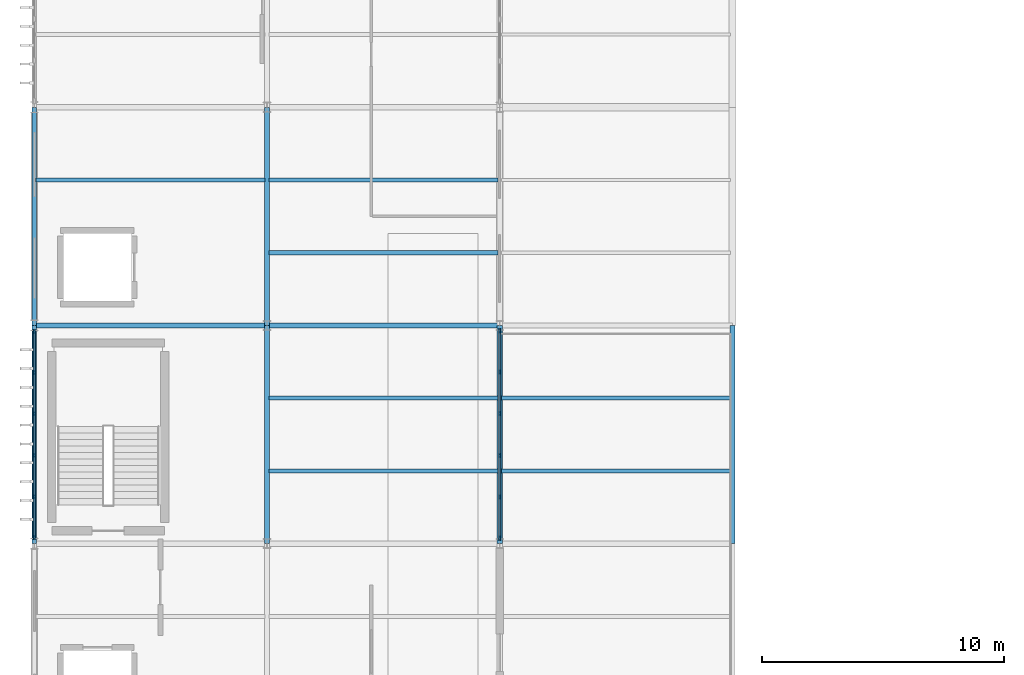
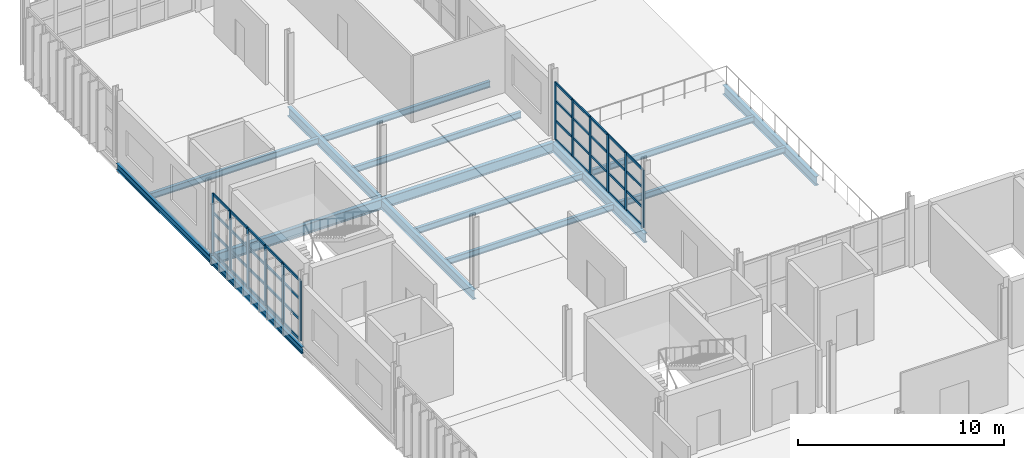
# One storey, part 11 of 38: 52 members, 15 beams, 2 elements without a shape of their own.
"""IFC4 building model written with IfcOpenShell, lengths in metres."""

from ifc_helpers import new_model, si_unit, direction, frame, origin, origin_2d, place, context, subcontext, project, spatial, rectangle, i_section, extrude, material, layer, layer_set, material_profile, profile_set, type_object, element, aggregate, save


model = new_model("IFC4")

# Units and contexts
model_context = context("Model", 3, precision=1e-05, world=origin(), true_north=direction((0.0, 1.0)))
body_context = subcontext(model_context, "Body", "Model", "MODEL_VIEW")
ifc_project = project(units=[si_unit("LENGTHUNIT", "METRE"), si_unit("AREAUNIT", "SQUARE_METRE"), si_unit("VOLUMEUNIT", "CUBIC_METRE"), si_unit("PLANEANGLEUNIT", "RADIAN"), si_unit("MASSUNIT", "GRAM", prefix="KILO")], contexts=[model_context])

# Site, building, storey
site_placement = place(None, origin())
site = spatial("IfcSite", under=ifc_project, at=site_placement, CompositionType="ELEMENT")
building_placement = place(site_placement, origin())
building = spatial("IfcBuilding", under=site, at=building_placement, Name="Zarnetskaya Central Station", CompositionType="ELEMENT")
storey_placement = place(building_placement, frame((0.0, 0.0, 18.60009765625)))
storey = spatial("IfcBuildingStorey", under=building, at=storey_placement, Name="L04", CompositionType="ELEMENT", Elevation=18.60009765625)

# Beams
ifc_material_1 = material(Name="Steel S355", Category="steel")
ifc_material_profile_1 = material_profile(ifc_material_1, i_section(OverallWidth=0.169921875, OverallDepth=0.360107421875, WebThickness=0.008056640625, FlangeThickness=0.0126953125, FilletRadius=0.01806640625, at=origin_2d()), Name="IPE 360")
ifc_profile_set_1 = profile_set([ifc_material_profile_1], Name="Steel S355")
beam_type_1 = type_object("IfcBeamType", Name="BM-SEC-360", PredefinedType="BEAM", material=ifc_profile_set_1)
beam_1_placement = place(storey_placement, frame((0.080078125, 46.199951171875, -0.420166015625), z_axis=(1.0, 0.0, 0.0), x_axis=(0.0, 1.0, 0.0)))
element("IfcBeam", 1, at=beam_1_placement, inside=storey, type_object=beam_type_1, Name="Secondary floor beam SEC-L04-Z1836-AB-67-2", PredefinedType="BEAM", context=body_context, shape_type="SweptSolid", body=[
    extrude(i_section(OverallWidth=0.169921875, OverallDepth=0.360107421875, WebThickness=0.008056640625, FlangeThickness=0.0126953125, FilletRadius=0.01806640625, at=origin_2d()), origin(), (0.0, 0.0, 1.0), 9.43994140625),
])
for number, where, z_axis, x_axis, name in (
    (2, (9.679931640625, 34.199951171875, -0.420166015625), (1.0, 0.0, 0.0), (0.0, 1.0, 0.0), "Secondary floor beam SEC-L04-Z1836-BC-56-1"),
    (3, (9.679931640625, 37.199951171875, -0.420166015625), (1.0, 0.0, 0.0), (0.0, 1.0, 0.0), "Secondary floor beam SEC-L04-Z1836-BC-56-2"),
    (4, (9.679931640625, 43.199951171875, -0.420166015625), (1.0, 0.0, 0.0), (0.0, 1.0, 0.0), "Secondary floor beam SEC-L04-Z1836-BC-67-1"),
    (5, (9.679931640625, 46.199951171875, -0.420166015625), (1.0, 0.0, 0.0), (0.0, 1.0, 0.0), "Secondary floor beam SEC-L04-Z1836-BC-67-2"),
):
    element("IfcBeam", number, at=place(storey_placement, frame(where, z_axis=z_axis, x_axis=x_axis)), inside=storey, type_object=beam_type_1, Name=name, PredefinedType="BEAM", context=body_context, shape_type="SweptSolid", body=[
        extrude(i_section(OverallWidth=0.169921875, OverallDepth=0.360107421875, WebThickness=0.008056640625, FlangeThickness=0.0126953125, FilletRadius=0.01806640625, at=origin_2d()), origin(), (0.0, 0.0, 1.0), 9.440185546875),
    ])
for number, where, z_axis, x_axis, name in (
    (6, (19.280029296875, 34.199951171875, -0.400146484375), (1.0, 0.0, 0.0), (0.0, 1.0, 0.0), "Secondary floor beam SEC-L04-Z1838-CD-56-1"),
    (7, (19.280029296875, 37.199951171875, -0.400146484375), (1.0, 0.0, 0.0), (0.0, 1.0, 0.0), "Secondary floor beam SEC-L04-Z1838-CD-56-2"),
):
    element("IfcBeam", number, at=place(storey_placement, frame(where, z_axis=z_axis, x_axis=x_axis)), inside=storey, type_object=beam_type_1, Name=name, PredefinedType="BEAM", context=body_context, shape_type="SweptSolid", body=[
        extrude(i_section(OverallWidth=0.169921875, OverallDepth=0.360107421875, WebThickness=0.008056640625, FlangeThickness=0.0126953125, FilletRadius=0.01806640625, at=origin_2d()), origin(), (0.0, 0.0, 1.0), 9.43994140625),
    ])
ifc_material_profile_2 = material_profile(ifc_material_1, i_section(OverallWidth=0.179931640625, OverallDepth=0.39990234375, WebThickness=0.008544921875, FlangeThickness=0.013427734375, FilletRadius=0.02099609375, at=origin_2d()), Name="IPE 400")
ifc_profile_set_2 = profile_set([ifc_material_profile_2], Name="Steel S355")
beam_type_2 = type_object("IfcBeamType", Name="BM-SPN-V5", PredefinedType="SPANDREL", material=ifc_profile_set_2)
for number, where, z_axis, x_axis, name in (
    (8, (0.0, 31.199951171875, -0.440185546875), (0.0, 1.0, 0.0), (-1.0, 0.0, 0.0), "Grid girder GY-L04-A-56"),
    (9, (0.0, 40.199951171875, -0.440185546875), (0.0, 1.0, 0.0), (-1.0, 0.0, 0.0), "Grid girder GY-L04-A-67"),
):
    element("IfcBeam", number, at=place(storey_placement, frame(where, z_axis=z_axis, x_axis=x_axis)), inside=storey, type_object=beam_type_2, Name=name, PredefinedType="SPANDREL", context=body_context, shape_type="SweptSolid", body=[
        extrude(i_section(OverallWidth=0.179931640625, OverallDepth=0.39990234375, WebThickness=0.008544921875, FlangeThickness=0.013427734375, FilletRadius=0.02099609375, at=origin_2d()), origin(), (0.0, 0.0, 1.0), 9.0),
    ])

# Curtain wall, members
ifc_material_2 = material(Name="Low-E insulated glass", Category="glass")
ifc_layer_1 = layer(ifc_material_2, 0.176025390625, Name="Low-E insulated glass", Category="glass")
ifc_layer_set_1 = layer_set([ifc_layer_1], Name="Low-E insulated glass")
curtain_wall_type_1 = type_object("IfcCurtainWallType", Name="CW-SYS-10", PredefinedType="USERDEFINED", material=ifc_layer_set_1)
curtain_wall_1_placement = place(storey_placement, origin())
curtain_wall_1 = element("IfcCurtainWall", 10, at=curtain_wall_1_placement, inside=storey, type_object=curtain_wall_type_1, Name="Curtain wall CW-L04-049", ObjectType="CURTAIN WALL", PredefinedType="USERDEFINED")
ifc_material_3 = material(Name="Anodised aluminium", Category="aluminium")
ifc_material_profile_3 = material_profile(ifc_material_3, rectangle(XDim=0.070068359375, YDim=0.179931640625, at=origin_2d()), Name="ALU MULL 70x180")
ifc_profile_set_3 = profile_set([ifc_material_profile_3], Name="Anodised aluminium")
member_type_1 = type_object("IfcMemberType", Name="CW-MULL-180", PredefinedType="MULLION", material=ifc_profile_set_3)
member_1_placement = place(storey_placement, frame((0.0, 31.4599609375, 0.0), z_axis=(0.0, 0.0, 1.0), x_axis=(-1.0, 0.0, 0.0)))
member_1 = element("IfcMember", 11, at=member_1_placement, type_object=member_type_1, Name="CW-13 mullion 1", PredefinedType="MULLION", context=body_context, shape_type="SweptSolid", body=[
    extrude(rectangle(XDim=0.070068359375, YDim=0.179931640625, at=origin_2d()), origin(), (0.0, 0.0, 1.0), 3.559814453125),
])
member_2_placement = place(storey_placement, frame((0.0, 33.135009765625, 0.0), z_axis=(0.0, 0.0, 1.0), x_axis=(-1.0, 0.0, 0.0)))
member_2 = element("IfcMember", 12, at=member_2_placement, type_object=member_type_1, Name="CW-13 mullion 2", PredefinedType="MULLION", context=body_context, shape_type="SweptSolid", body=[
    extrude(rectangle(XDim=0.070068359375, YDim=0.179931640625, at=origin_2d()), origin(), (0.0, 0.0, 1.0), 3.559814453125),
])
member_3_placement = place(storey_placement, frame((0.0, 34.844970703125, 0.0), z_axis=(0.0, 0.0, 1.0), x_axis=(-1.0, 0.0, 0.0)))
member_3 = element("IfcMember", 13, at=member_3_placement, type_object=member_type_1, Name="CW-13 mullion 3", PredefinedType="MULLION", context=body_context, shape_type="SweptSolid", body=[
    extrude(rectangle(XDim=0.070068359375, YDim=0.179931640625, at=origin_2d()), origin(), (0.0, 0.0, 1.0), 3.559814453125),
])
member_4_placement = place(storey_placement, frame((0.0, 36.554931640625, 0.0), z_axis=(0.0, 0.0, 1.0), x_axis=(-1.0, 0.0, 0.0)))
member_4 = element("IfcMember", 14, at=member_4_placement, type_object=member_type_1, Name="CW-13 mullion 4", PredefinedType="MULLION", context=body_context, shape_type="SweptSolid", body=[
    extrude(rectangle(XDim=0.070068359375, YDim=0.179931640625, at=origin_2d()), origin(), (0.0, 0.0, 1.0), 3.559814453125),
])
member_5_placement = place(storey_placement, frame((0.0, 38.264892578125, 0.0), z_axis=(0.0, 0.0, 1.0), x_axis=(-1.0, 0.0, 0.0)))
member_5 = element("IfcMember", 15, at=member_5_placement, type_object=member_type_1, Name="CW-13 mullion 5", PredefinedType="MULLION", context=body_context, shape_type="SweptSolid", body=[
    extrude(rectangle(XDim=0.070068359375, YDim=0.179931640625, at=origin_2d()), origin(), (0.0, 0.0, 1.0), 3.559814453125),
])
member_6_placement = place(storey_placement, frame((0.0, 39.93994140625, 0.0), z_axis=(0.0, 0.0, 1.0), x_axis=(-1.0, 0.0, 0.0)))
member_6 = element("IfcMember", 16, at=member_6_placement, type_object=member_type_1, Name="CW-13 mullion 6", PredefinedType="MULLION", context=body_context, shape_type="SweptSolid", body=[
    extrude(rectangle(XDim=0.070068359375, YDim=0.179931640625, at=origin_2d()), origin(), (0.0, 0.0, 1.0), 3.559814453125),
])

ifc_layer_2 = layer(ifc_material_2, 0.16796875, Name="Low-E insulated glass", Category="glass")
ifc_layer_set_2 = layer_set([ifc_layer_2], Name="Low-E insulated glass")
curtain_wall_type_2 = type_object("IfcCurtainWallType", Name="CW-SYS-08", PredefinedType="USERDEFINED", material=ifc_layer_set_2)
curtain_wall_2_placement = place(storey_placement, origin())
curtain_wall_2 = element("IfcCurtainWall", 17, at=curtain_wall_2_placement, inside=storey, type_object=curtain_wall_type_2, Name="Curtain wall CW-L04-053", ObjectType="CURTAIN WALL", PredefinedType="USERDEFINED")
member_7_placement = place(storey_placement, frame((19.199951171875, 39.965087890625, 0.0), z_axis=(0.0, 0.0, 1.0), x_axis=(1.0, 0.0, 0.0)))
member_7 = element("IfcMember", 18, at=member_7_placement, type_object=member_type_1, Name="CW-16 mullion 1", PredefinedType="MULLION", context=body_context, shape_type="SweptSolid", body=[
    extrude(rectangle(XDim=0.070068359375, YDim=0.179931640625, at=origin_2d()), origin(), (0.0, 0.0, 1.0), 3.409912109375),
])
member_8_placement = place(storey_placement, frame((19.199951171875, 38.280029296875, 0.0), z_axis=(0.0, 0.0, 1.0), x_axis=(1.0, 0.0, 0.0)))
member_8 = element("IfcMember", 19, at=member_8_placement, type_object=member_type_1, Name="CW-16 mullion 2", PredefinedType="MULLION", context=body_context, shape_type="SweptSolid", body=[
    extrude(rectangle(XDim=0.070068359375, YDim=0.179931640625, at=origin_2d()), origin(), (0.0, 0.0, 1.0), 3.409912109375),
])
member_9_placement = place(storey_placement, frame((19.199951171875, 36.56005859375, 0.0), z_axis=(0.0, 0.0, 1.0), x_axis=(1.0, 0.0, 0.0)))
member_9 = element("IfcMember", 20, at=member_9_placement, type_object=member_type_1, Name="CW-16 mullion 3", PredefinedType="MULLION", context=body_context, shape_type="SweptSolid", body=[
    extrude(rectangle(XDim=0.070068359375, YDim=0.179931640625, at=origin_2d()), origin(), (0.0, 0.0, 1.0), 3.409912109375),
])
member_10_placement = place(storey_placement, frame((19.199951171875, 34.840087890625, 0.0), z_axis=(0.0, 0.0, 1.0), x_axis=(1.0, 0.0, 0.0)))
member_10 = element("IfcMember", 21, at=member_10_placement, type_object=member_type_1, Name="CW-16 mullion 4", PredefinedType="MULLION", context=body_context, shape_type="SweptSolid", body=[
    extrude(rectangle(XDim=0.070068359375, YDim=0.179931640625, at=origin_2d()), origin(), (0.0, 0.0, 1.0), 3.409912109375),
])
member_11_placement = place(storey_placement, frame((19.199951171875, 33.1201171875, 0.0), z_axis=(0.0, 0.0, 1.0), x_axis=(1.0, 0.0, 0.0)))
member_11 = element("IfcMember", 22, at=member_11_placement, type_object=member_type_1, Name="CW-16 mullion 5", PredefinedType="MULLION", context=body_context, shape_type="SweptSolid", body=[
    extrude(rectangle(XDim=0.070068359375, YDim=0.179931640625, at=origin_2d()), origin(), (0.0, 0.0, 1.0), 3.409912109375),
])
member_12_placement = place(storey_placement, frame((19.199951171875, 31.43505859375, 0.0), z_axis=(0.0, 0.0, 1.0), x_axis=(1.0, 0.0, 0.0)))
member_12 = element("IfcMember", 23, at=member_12_placement, type_object=member_type_1, Name="CW-16 mullion 6", PredefinedType="MULLION", context=body_context, shape_type="SweptSolid", body=[
    extrude(rectangle(XDim=0.070068359375, YDim=0.179931640625, at=origin_2d()), origin(), (0.0, 0.0, 1.0), 3.409912109375),
])

# Member
ifc_material_profile_4 = material_profile(ifc_material_3, rectangle(XDim=0.070068359375, YDim=0.139892578125, at=origin_2d()), Name="ALU TRAN 70x140")
ifc_profile_set_4 = profile_set([ifc_material_profile_4], Name="Anodised aluminium")
member_type_2 = type_object("IfcMemberType", Name="CW-TRAN-140", PredefinedType="USERDEFINED", material=ifc_profile_set_4)
member_13_placement = place(storey_placement, frame((0.0, 31.4951171875, 0.034912109375), z_axis=(0.0, 1.0, 0.0), x_axis=(-1.0, 0.0, 0.0)))
member_13 = element("IfcMember", 24, at=member_13_placement, type_object=member_type_2, Name="CW-13 transom 1.1", ObjectType="TRANSOM", PredefinedType="USERDEFINED", context=body_context, shape_type="SweptSolid", body=[
    extrude(rectangle(XDim=0.070068359375, YDim=0.139892578125, at=origin_2d()), origin(), (0.0, 0.0, 1.0), 1.60498046875),
])

member_14_placement = place(storey_placement, frame((0.0, 31.4951171875, 1.2099609375), z_axis=(0.0, 1.0, 0.0), x_axis=(-1.0, 0.0, 0.0)))
member_14 = element("IfcMember", 25, at=member_14_placement, type_object=member_type_2, Name="CW-13 transom 1.2", ObjectType="TRANSOM", PredefinedType="USERDEFINED", context=body_context, shape_type="SweptSolid", body=[
    extrude(rectangle(XDim=0.070068359375, YDim=0.139892578125, at=origin_2d()), origin(), (0.0, 0.0, 1.0), 1.60498046875),
])

member_15_placement = place(storey_placement, frame((0.0, 31.4951171875, 2.4208984375), z_axis=(0.0, 1.0, 0.0), x_axis=(-1.0, 0.0, 0.0)))
member_15 = element("IfcMember", 26, at=member_15_placement, type_object=member_type_2, Name="CW-13 transom 1.3", ObjectType="TRANSOM", PredefinedType="USERDEFINED", context=body_context, shape_type="SweptSolid", body=[
    extrude(rectangle(XDim=0.070068359375, YDim=0.139892578125, at=origin_2d()), origin(), (0.0, 0.0, 1.0), 1.60498046875),
])

member_16_placement = place(storey_placement, frame((0.0, 31.4951171875, 3.52490234375), z_axis=(0.0, 1.0, 0.0), x_axis=(-1.0, 0.0, 0.0)))
member_16 = element("IfcMember", 27, at=member_16_placement, type_object=member_type_2, Name="CW-13 transom 1.4", ObjectType="TRANSOM", PredefinedType="USERDEFINED", context=body_context, shape_type="SweptSolid", body=[
    extrude(rectangle(XDim=0.070068359375, YDim=0.139892578125, at=origin_2d()), origin(), (0.0, 0.0, 1.0), 1.60498046875),
])

member_17_placement = place(storey_placement, frame((0.0, 33.169921875, 0.034912109375), z_axis=(0.0, 1.0, 0.0), x_axis=(-1.0, 0.0, 0.0)))
member_17 = element("IfcMember", 28, at=member_17_placement, type_object=member_type_2, Name="CW-13 transom 2.1", ObjectType="TRANSOM", PredefinedType="USERDEFINED", context=body_context, shape_type="SweptSolid", body=[
    extrude(rectangle(XDim=0.070068359375, YDim=0.139892578125, at=origin_2d()), origin(), (0.0, 0.0, 1.0), 1.64013671875),
])

member_18_placement = place(storey_placement, frame((0.0, 33.169921875, 1.2099609375), z_axis=(0.0, 1.0, 0.0), x_axis=(-1.0, 0.0, 0.0)))
member_18 = element("IfcMember", 29, at=member_18_placement, type_object=member_type_2, Name="CW-13 transom 2.2", ObjectType="TRANSOM", PredefinedType="USERDEFINED", context=body_context, shape_type="SweptSolid", body=[
    extrude(rectangle(XDim=0.070068359375, YDim=0.139892578125, at=origin_2d()), origin(), (0.0, 0.0, 1.0), 1.64013671875),
])

member_19_placement = place(storey_placement, frame((0.0, 33.169921875, 2.4208984375), z_axis=(0.0, 1.0, 0.0), x_axis=(-1.0, 0.0, 0.0)))
member_19 = element("IfcMember", 30, at=member_19_placement, type_object=member_type_2, Name="CW-13 transom 2.3", ObjectType="TRANSOM", PredefinedType="USERDEFINED", context=body_context, shape_type="SweptSolid", body=[
    extrude(rectangle(XDim=0.070068359375, YDim=0.139892578125, at=origin_2d()), origin(), (0.0, 0.0, 1.0), 1.64013671875),
])

member_20_placement = place(storey_placement, frame((0.0, 33.169921875, 3.52490234375), z_axis=(0.0, 1.0, 0.0), x_axis=(-1.0, 0.0, 0.0)))
member_20 = element("IfcMember", 31, at=member_20_placement, type_object=member_type_2, Name="CW-13 transom 2.4", ObjectType="TRANSOM", PredefinedType="USERDEFINED", context=body_context, shape_type="SweptSolid", body=[
    extrude(rectangle(XDim=0.070068359375, YDim=0.139892578125, at=origin_2d()), origin(), (0.0, 0.0, 1.0), 1.64013671875),
])

member_21_placement = place(storey_placement, frame((0.0, 34.8798828125, 0.034912109375), z_axis=(0.0, 1.0, 0.0), x_axis=(-1.0, 0.0, 0.0)))
member_21 = element("IfcMember", 32, at=member_21_placement, type_object=member_type_2, Name="CW-13 transom 3.1", ObjectType="TRANSOM", PredefinedType="USERDEFINED", context=body_context, shape_type="SweptSolid", body=[
    extrude(rectangle(XDim=0.070068359375, YDim=0.139892578125, at=origin_2d()), origin(), (0.0, 0.0, 1.0), 1.64013671875),
])

member_22_placement = place(storey_placement, frame((0.0, 34.8798828125, 1.2099609375), z_axis=(0.0, 1.0, 0.0), x_axis=(-1.0, 0.0, 0.0)))
member_22 = element("IfcMember", 33, at=member_22_placement, type_object=member_type_2, Name="CW-13 transom 3.2", ObjectType="TRANSOM", PredefinedType="USERDEFINED", context=body_context, shape_type="SweptSolid", body=[
    extrude(rectangle(XDim=0.070068359375, YDim=0.139892578125, at=origin_2d()), origin(), (0.0, 0.0, 1.0), 1.64013671875),
])

member_23_placement = place(storey_placement, frame((0.0, 34.8798828125, 2.4208984375), z_axis=(0.0, 1.0, 0.0), x_axis=(-1.0, 0.0, 0.0)))
member_23 = element("IfcMember", 34, at=member_23_placement, type_object=member_type_2, Name="CW-13 transom 3.3", ObjectType="TRANSOM", PredefinedType="USERDEFINED", context=body_context, shape_type="SweptSolid", body=[
    extrude(rectangle(XDim=0.070068359375, YDim=0.139892578125, at=origin_2d()), origin(), (0.0, 0.0, 1.0), 1.64013671875),
])

member_24_placement = place(storey_placement, frame((0.0, 34.8798828125, 3.52490234375), z_axis=(0.0, 1.0, 0.0), x_axis=(-1.0, 0.0, 0.0)))
member_24 = element("IfcMember", 35, at=member_24_placement, type_object=member_type_2, Name="CW-13 transom 3.4", ObjectType="TRANSOM", PredefinedType="USERDEFINED", context=body_context, shape_type="SweptSolid", body=[
    extrude(rectangle(XDim=0.070068359375, YDim=0.139892578125, at=origin_2d()), origin(), (0.0, 0.0, 1.0), 1.64013671875),
])

member_25_placement = place(storey_placement, frame((0.0, 36.590087890625, 0.034912109375), z_axis=(0.0, 1.0, 0.0), x_axis=(-1.0, 0.0, 0.0)))
member_25 = element("IfcMember", 36, at=member_25_placement, type_object=member_type_2, Name="CW-13 transom 4.1", ObjectType="TRANSOM", PredefinedType="USERDEFINED", context=body_context, shape_type="SweptSolid", body=[
    extrude(rectangle(XDim=0.070068359375, YDim=0.139892578125, at=origin_2d()), origin(), (0.0, 0.0, 1.0), 1.639892578125),
])

member_26_placement = place(storey_placement, frame((0.0, 36.590087890625, 1.2099609375), z_axis=(0.0, 1.0, 0.0), x_axis=(-1.0, 0.0, 0.0)))
member_26 = element("IfcMember", 37, at=member_26_placement, type_object=member_type_2, Name="CW-13 transom 4.2", ObjectType="TRANSOM", PredefinedType="USERDEFINED", context=body_context, shape_type="SweptSolid", body=[
    extrude(rectangle(XDim=0.070068359375, YDim=0.139892578125, at=origin_2d()), origin(), (0.0, 0.0, 1.0), 1.639892578125),
])

member_27_placement = place(storey_placement, frame((0.0, 36.590087890625, 2.4208984375), z_axis=(0.0, 1.0, 0.0), x_axis=(-1.0, 0.0, 0.0)))
member_27 = element("IfcMember", 38, at=member_27_placement, type_object=member_type_2, Name="CW-13 transom 4.3", ObjectType="TRANSOM", PredefinedType="USERDEFINED", context=body_context, shape_type="SweptSolid", body=[
    extrude(rectangle(XDim=0.070068359375, YDim=0.139892578125, at=origin_2d()), origin(), (0.0, 0.0, 1.0), 1.639892578125),
])

member_28_placement = place(storey_placement, frame((0.0, 36.590087890625, 3.52490234375), z_axis=(0.0, 1.0, 0.0), x_axis=(-1.0, 0.0, 0.0)))
member_28 = element("IfcMember", 39, at=member_28_placement, type_object=member_type_2, Name="CW-13 transom 4.4", ObjectType="TRANSOM", PredefinedType="USERDEFINED", context=body_context, shape_type="SweptSolid", body=[
    extrude(rectangle(XDim=0.070068359375, YDim=0.139892578125, at=origin_2d()), origin(), (0.0, 0.0, 1.0), 1.639892578125),
])

member_29_placement = place(storey_placement, frame((0.0, 38.300048828125, 0.034912109375), z_axis=(0.0, 1.0, 0.0), x_axis=(-1.0, 0.0, 0.0)))
member_29 = element("IfcMember", 40, at=member_29_placement, type_object=member_type_2, Name="CW-13 transom 5.1", ObjectType="TRANSOM", PredefinedType="USERDEFINED", context=body_context, shape_type="SweptSolid", body=[
    extrude(rectangle(XDim=0.070068359375, YDim=0.139892578125, at=origin_2d()), origin(), (0.0, 0.0, 1.0), 1.60498046875),
])

member_30_placement = place(storey_placement, frame((0.0, 38.300048828125, 1.2099609375), z_axis=(0.0, 1.0, 0.0), x_axis=(-1.0, 0.0, 0.0)))
member_30 = element("IfcMember", 41, at=member_30_placement, type_object=member_type_2, Name="CW-13 transom 5.2", ObjectType="TRANSOM", PredefinedType="USERDEFINED", context=body_context, shape_type="SweptSolid", body=[
    extrude(rectangle(XDim=0.070068359375, YDim=0.139892578125, at=origin_2d()), origin(), (0.0, 0.0, 1.0), 1.60498046875),
])

member_31_placement = place(storey_placement, frame((0.0, 38.300048828125, 2.4208984375), z_axis=(0.0, 1.0, 0.0), x_axis=(-1.0, 0.0, 0.0)))
member_31 = element("IfcMember", 42, at=member_31_placement, type_object=member_type_2, Name="CW-13 transom 5.3", ObjectType="TRANSOM", PredefinedType="USERDEFINED", context=body_context, shape_type="SweptSolid", body=[
    extrude(rectangle(XDim=0.070068359375, YDim=0.139892578125, at=origin_2d()), origin(), (0.0, 0.0, 1.0), 1.60498046875),
])

member_32_placement = place(storey_placement, frame((0.0, 38.300048828125, 3.52490234375), z_axis=(0.0, 1.0, 0.0), x_axis=(-1.0, 0.0, 0.0)))
member_32 = element("IfcMember", 43, at=member_32_placement, type_object=member_type_2, Name="CW-13 transom 5.4", ObjectType="TRANSOM", PredefinedType="USERDEFINED", context=body_context, shape_type="SweptSolid", body=[
    extrude(rectangle(XDim=0.070068359375, YDim=0.139892578125, at=origin_2d()), origin(), (0.0, 0.0, 1.0), 1.60498046875),
])

aggregate(curtain_wall_1, [member_1, member_2, member_3, member_4, member_5, member_6, member_13, member_14, member_15, member_16, member_17, member_18, member_19, member_20, member_21, member_22, member_23, member_24, member_25, member_26, member_27, member_28, member_29, member_30, member_31, member_32])

member_33_placement = place(storey_placement, frame((19.199951171875, 39.929931640625, 0.034912109375), z_axis=(0.0, -1.0, 0.0), x_axis=(1.0, 0.0, 0.0)))
member_33 = element("IfcMember", 44, at=member_33_placement, type_object=member_type_2, Name="CW-16 transom 1.1", ObjectType="TRANSOM", PredefinedType="USERDEFINED", context=body_context, shape_type="SweptSolid", body=[
    extrude(rectangle(XDim=0.070068359375, YDim=0.139892578125, at=origin_2d()), origin(), (0.0, 0.0, 1.0), 1.614990234375),
])

member_34_placement = place(storey_placement, frame((19.199951171875, 39.929931640625, 1.158935546875), z_axis=(0.0, -1.0, 0.0), x_axis=(1.0, 0.0, 0.0)))
member_34 = element("IfcMember", 45, at=member_34_placement, type_object=member_type_2, Name="CW-16 transom 1.2", ObjectType="TRANSOM", PredefinedType="USERDEFINED", context=body_context, shape_type="SweptSolid", body=[
    extrude(rectangle(XDim=0.070068359375, YDim=0.139892578125, at=origin_2d()), origin(), (0.0, 0.0, 1.0), 1.614990234375),
])

member_35_placement = place(storey_placement, frame((19.199951171875, 39.929931640625, 2.31884765625), z_axis=(0.0, -1.0, 0.0), x_axis=(1.0, 0.0, 0.0)))
member_35 = element("IfcMember", 46, at=member_35_placement, type_object=member_type_2, Name="CW-16 transom 1.3", ObjectType="TRANSOM", PredefinedType="USERDEFINED", context=body_context, shape_type="SweptSolid", body=[
    extrude(rectangle(XDim=0.070068359375, YDim=0.139892578125, at=origin_2d()), origin(), (0.0, 0.0, 1.0), 1.614990234375),
])

member_36_placement = place(storey_placement, frame((19.199951171875, 39.929931640625, 3.375), z_axis=(0.0, -1.0, 0.0), x_axis=(1.0, 0.0, 0.0)))
member_36 = element("IfcMember", 47, at=member_36_placement, type_object=member_type_2, Name="CW-16 transom 1.4", ObjectType="TRANSOM", PredefinedType="USERDEFINED", context=body_context, shape_type="SweptSolid", body=[
    extrude(rectangle(XDim=0.070068359375, YDim=0.139892578125, at=origin_2d()), origin(), (0.0, 0.0, 1.0), 1.614990234375),
])

member_37_placement = place(storey_placement, frame((19.199951171875, 38.2451171875, 0.034912109375), z_axis=(0.0, -1.0, 0.0), x_axis=(1.0, 0.0, 0.0)))
member_37 = element("IfcMember", 48, at=member_37_placement, type_object=member_type_2, Name="CW-16 transom 2.1", ObjectType="TRANSOM", PredefinedType="USERDEFINED", context=body_context, shape_type="SweptSolid", body=[
    extrude(rectangle(XDim=0.070068359375, YDim=0.139892578125, at=origin_2d()), origin(), (0.0, 0.0, 1.0), 1.650146484375),
])

member_38_placement = place(storey_placement, frame((19.199951171875, 38.2451171875, 1.158935546875), z_axis=(0.0, -1.0, 0.0), x_axis=(1.0, 0.0, 0.0)))
member_38 = element("IfcMember", 49, at=member_38_placement, type_object=member_type_2, Name="CW-16 transom 2.2", ObjectType="TRANSOM", PredefinedType="USERDEFINED", context=body_context, shape_type="SweptSolid", body=[
    extrude(rectangle(XDim=0.070068359375, YDim=0.139892578125, at=origin_2d()), origin(), (0.0, 0.0, 1.0), 1.650146484375),
])

member_39_placement = place(storey_placement, frame((19.199951171875, 38.2451171875, 2.31884765625), z_axis=(0.0, -1.0, 0.0), x_axis=(1.0, 0.0, 0.0)))
member_39 = element("IfcMember", 50, at=member_39_placement, type_object=member_type_2, Name="CW-16 transom 2.3", ObjectType="TRANSOM", PredefinedType="USERDEFINED", context=body_context, shape_type="SweptSolid", body=[
    extrude(rectangle(XDim=0.070068359375, YDim=0.139892578125, at=origin_2d()), origin(), (0.0, 0.0, 1.0), 1.650146484375),
])

member_40_placement = place(storey_placement, frame((19.199951171875, 38.2451171875, 3.375), z_axis=(0.0, -1.0, 0.0), x_axis=(1.0, 0.0, 0.0)))
member_40 = element("IfcMember", 51, at=member_40_placement, type_object=member_type_2, Name="CW-16 transom 2.4", ObjectType="TRANSOM", PredefinedType="USERDEFINED", context=body_context, shape_type="SweptSolid", body=[
    extrude(rectangle(XDim=0.070068359375, YDim=0.139892578125, at=origin_2d()), origin(), (0.0, 0.0, 1.0), 1.650146484375),
])

member_41_placement = place(storey_placement, frame((19.199951171875, 36.52490234375, 0.034912109375), z_axis=(0.0, -1.0, 0.0), x_axis=(1.0, 0.0, 0.0)))
member_41 = element("IfcMember", 52, at=member_41_placement, type_object=member_type_2, Name="CW-16 transom 3.1", ObjectType="TRANSOM", PredefinedType="USERDEFINED", context=body_context, shape_type="SweptSolid", body=[
    extrude(rectangle(XDim=0.070068359375, YDim=0.139892578125, at=origin_2d()), origin(), (0.0, 0.0, 1.0), 1.64990234375),
])

member_42_placement = place(storey_placement, frame((19.199951171875, 36.52490234375, 1.158935546875), z_axis=(0.0, -1.0, 0.0), x_axis=(1.0, 0.0, 0.0)))
member_42 = element("IfcMember", 53, at=member_42_placement, type_object=member_type_2, Name="CW-16 transom 3.2", ObjectType="TRANSOM", PredefinedType="USERDEFINED", context=body_context, shape_type="SweptSolid", body=[
    extrude(rectangle(XDim=0.070068359375, YDim=0.139892578125, at=origin_2d()), origin(), (0.0, 0.0, 1.0), 1.64990234375),
])

member_43_placement = place(storey_placement, frame((19.199951171875, 36.52490234375, 2.31884765625), z_axis=(0.0, -1.0, 0.0), x_axis=(1.0, 0.0, 0.0)))
member_43 = element("IfcMember", 54, at=member_43_placement, type_object=member_type_2, Name="CW-16 transom 3.3", ObjectType="TRANSOM", PredefinedType="USERDEFINED", context=body_context, shape_type="SweptSolid", body=[
    extrude(rectangle(XDim=0.070068359375, YDim=0.139892578125, at=origin_2d()), origin(), (0.0, 0.0, 1.0), 1.64990234375),
])

member_44_placement = place(storey_placement, frame((19.199951171875, 36.52490234375, 3.375), z_axis=(0.0, -1.0, 0.0), x_axis=(1.0, 0.0, 0.0)))
member_44 = element("IfcMember", 55, at=member_44_placement, type_object=member_type_2, Name="CW-16 transom 3.4", ObjectType="TRANSOM", PredefinedType="USERDEFINED", context=body_context, shape_type="SweptSolid", body=[
    extrude(rectangle(XDim=0.070068359375, YDim=0.139892578125, at=origin_2d()), origin(), (0.0, 0.0, 1.0), 1.64990234375),
])

member_45_placement = place(storey_placement, frame((19.199951171875, 34.804931640625, 0.034912109375), z_axis=(0.0, -1.0, 0.0), x_axis=(1.0, 0.0, 0.0)))
member_45 = element("IfcMember", 56, at=member_45_placement, type_object=member_type_2, Name="CW-16 transom 4.1", ObjectType="TRANSOM", PredefinedType="USERDEFINED", context=body_context, shape_type="SweptSolid", body=[
    extrude(rectangle(XDim=0.070068359375, YDim=0.139892578125, at=origin_2d()), origin(), (0.0, 0.0, 1.0), 1.64990234375),
])

member_46_placement = place(storey_placement, frame((19.199951171875, 34.804931640625, 1.158935546875), z_axis=(0.0, -1.0, 0.0), x_axis=(1.0, 0.0, 0.0)))
member_46 = element("IfcMember", 57, at=member_46_placement, type_object=member_type_2, Name="CW-16 transom 4.2", ObjectType="TRANSOM", PredefinedType="USERDEFINED", context=body_context, shape_type="SweptSolid", body=[
    extrude(rectangle(XDim=0.070068359375, YDim=0.139892578125, at=origin_2d()), origin(), (0.0, 0.0, 1.0), 1.64990234375),
])

member_47_placement = place(storey_placement, frame((19.199951171875, 34.804931640625, 2.31884765625), z_axis=(0.0, -1.0, 0.0), x_axis=(1.0, 0.0, 0.0)))
member_47 = element("IfcMember", 58, at=member_47_placement, type_object=member_type_2, Name="CW-16 transom 4.3", ObjectType="TRANSOM", PredefinedType="USERDEFINED", context=body_context, shape_type="SweptSolid", body=[
    extrude(rectangle(XDim=0.070068359375, YDim=0.139892578125, at=origin_2d()), origin(), (0.0, 0.0, 1.0), 1.64990234375),
])

member_48_placement = place(storey_placement, frame((19.199951171875, 34.804931640625, 3.375), z_axis=(0.0, -1.0, 0.0), x_axis=(1.0, 0.0, 0.0)))
member_48 = element("IfcMember", 59, at=member_48_placement, type_object=member_type_2, Name="CW-16 transom 4.4", ObjectType="TRANSOM", PredefinedType="USERDEFINED", context=body_context, shape_type="SweptSolid", body=[
    extrude(rectangle(XDim=0.070068359375, YDim=0.139892578125, at=origin_2d()), origin(), (0.0, 0.0, 1.0), 1.64990234375),
])

member_49_placement = place(storey_placement, frame((19.199951171875, 33.0849609375, 0.034912109375), z_axis=(0.0, -1.0, 0.0), x_axis=(1.0, 0.0, 0.0)))
member_49 = element("IfcMember", 60, at=member_49_placement, type_object=member_type_2, Name="CW-16 transom 5.1", ObjectType="TRANSOM", PredefinedType="USERDEFINED", context=body_context, shape_type="SweptSolid", body=[
    extrude(rectangle(XDim=0.070068359375, YDim=0.139892578125, at=origin_2d()), origin(), (0.0, 0.0, 1.0), 1.614990234375),
])

member_50_placement = place(storey_placement, frame((19.199951171875, 33.0849609375, 1.158935546875), z_axis=(0.0, -1.0, 0.0), x_axis=(1.0, 0.0, 0.0)))
member_50 = element("IfcMember", 61, at=member_50_placement, type_object=member_type_2, Name="CW-16 transom 5.2", ObjectType="TRANSOM", PredefinedType="USERDEFINED", context=body_context, shape_type="SweptSolid", body=[
    extrude(rectangle(XDim=0.070068359375, YDim=0.139892578125, at=origin_2d()), origin(), (0.0, 0.0, 1.0), 1.614990234375),
])

member_51_placement = place(storey_placement, frame((19.199951171875, 33.0849609375, 2.31884765625), z_axis=(0.0, -1.0, 0.0), x_axis=(1.0, 0.0, 0.0)))
member_51 = element("IfcMember", 62, at=member_51_placement, type_object=member_type_2, Name="CW-16 transom 5.3", ObjectType="TRANSOM", PredefinedType="USERDEFINED", context=body_context, shape_type="SweptSolid", body=[
    extrude(rectangle(XDim=0.070068359375, YDim=0.139892578125, at=origin_2d()), origin(), (0.0, 0.0, 1.0), 1.614990234375),
])

member_52_placement = place(storey_placement, frame((19.199951171875, 33.0849609375, 3.375), z_axis=(0.0, -1.0, 0.0), x_axis=(1.0, 0.0, 0.0)))
member_52 = element("IfcMember", 63, at=member_52_placement, type_object=member_type_2, Name="CW-16 transom 5.4", ObjectType="TRANSOM", PredefinedType="USERDEFINED", context=body_context, shape_type="SweptSolid", body=[
    extrude(rectangle(XDim=0.070068359375, YDim=0.139892578125, at=origin_2d()), origin(), (0.0, 0.0, 1.0), 1.614990234375),
])

aggregate(curtain_wall_2, [member_7, member_8, member_9, member_10, member_11, member_12, member_33, member_34, member_35, member_36, member_37, member_38, member_39, member_40, member_41, member_42, member_43, member_44, member_45, member_46, member_47, member_48, member_49, member_50, member_51, member_52])

# Beams
ifc_material_profile_5 = material_profile(ifc_material_1, i_section(OverallWidth=0.2099609375, OverallDepth=0.550048828125, WebThickness=0.010986328125, FlangeThickness=0.01708984375, FilletRadius=0.02392578125, at=origin_2d()), Name="IPE 550")
ifc_profile_set_5 = profile_set([ifc_material_profile_5], Name="Steel S355")
beam_type_3 = type_object("IfcBeamType", Name="GD-FLR-550", PredefinedType="USERDEFINED", material=ifc_profile_set_5)
for number, where, z_axis, x_axis, name in (
    (64, (9.60009765625, 31.199951171875, -0.51513671875), (0.0, 1.0, 0.0), (-1.0, 0.0, 0.0), "Grid girder GY-L04-B-56"),
    (65, (9.60009765625, 40.199951171875, -0.51513671875), (0.0, 1.0, 0.0), (-1.0, 0.0, 0.0), "Grid girder GY-L04-B-67"),
    (66, (19.199951171875, 31.199951171875, -0.51513671875), (0.0, 1.0, 0.0), (-1.0, 0.0, 0.0), "Grid girder GY-L04-C-56"),
    (67, (28.800048828125, 31.199951171875, -0.4951171875), (0.0, 1.0, 0.0), (-1.0, 0.0, 0.0), "Grid girder GY-L04-D-56"),
):
    element("IfcBeam", number, at=place(storey_placement, frame(where, z_axis=z_axis, x_axis=x_axis)), inside=storey, type_object=beam_type_3, Name=name, ObjectType="GIRDER", PredefinedType="USERDEFINED", context=body_context, shape_type="SweptSolid", body=[
        extrude(i_section(OverallWidth=0.2099609375, OverallDepth=0.550048828125, WebThickness=0.010986328125, FlangeThickness=0.01708984375, FilletRadius=0.02392578125, at=origin_2d()), origin(), (0.0, 0.0, 1.0), 9.0),
    ])
ifc_material_profile_6 = material_profile(ifc_material_1, i_section(OverallWidth=0.219970703125, OverallDepth=0.60009765625, WebThickness=0.011962890625, FlangeThickness=0.01904296875, FilletRadius=0.02392578125, at=origin_2d()), Name="IPE 600")
ifc_profile_set_6 = profile_set([ifc_material_profile_6], Name="Steel S355")
beam_type_4 = type_object("IfcBeamType", Name="GD-FLR-600", PredefinedType="USERDEFINED", material=ifc_profile_set_6)
beam_2_placement = place(storey_placement, frame((0.0, 40.199951171875, -0.5400390625), z_axis=(1.0, 0.0, 0.0), x_axis=(0.0, 1.0, 0.0)))
element("IfcBeam", 68, at=beam_2_placement, inside=storey, type_object=beam_type_4, Name="Grid girder GX-L04-6-AB", ObjectType="GIRDER", PredefinedType="USERDEFINED", context=body_context, shape_type="SweptSolid", body=[
    extrude(i_section(OverallWidth=0.219970703125, OverallDepth=0.60009765625, WebThickness=0.011962890625, FlangeThickness=0.01904296875, FilletRadius=0.02392578125, at=origin_2d()), origin(), (0.0, 0.0, 1.0), 9.60009765625),
])
beam_3_placement = place(storey_placement, frame((9.60009765625, 40.199951171875, -0.5400390625), z_axis=(1.0, 0.0, 0.0), x_axis=(0.0, 1.0, 0.0)))
element("IfcBeam", 69, at=beam_3_placement, inside=storey, type_object=beam_type_4, Name="Grid girder GX-L04-6-BC", ObjectType="GIRDER", PredefinedType="USERDEFINED", context=body_context, shape_type="SweptSolid", body=[
    extrude(i_section(OverallWidth=0.219970703125, OverallDepth=0.60009765625, WebThickness=0.011962890625, FlangeThickness=0.01904296875, FilletRadius=0.02392578125, at=origin_2d()), origin(), (0.0, 0.0, 1.0), 9.599853515625),
])

save(model, "model.ifc")
